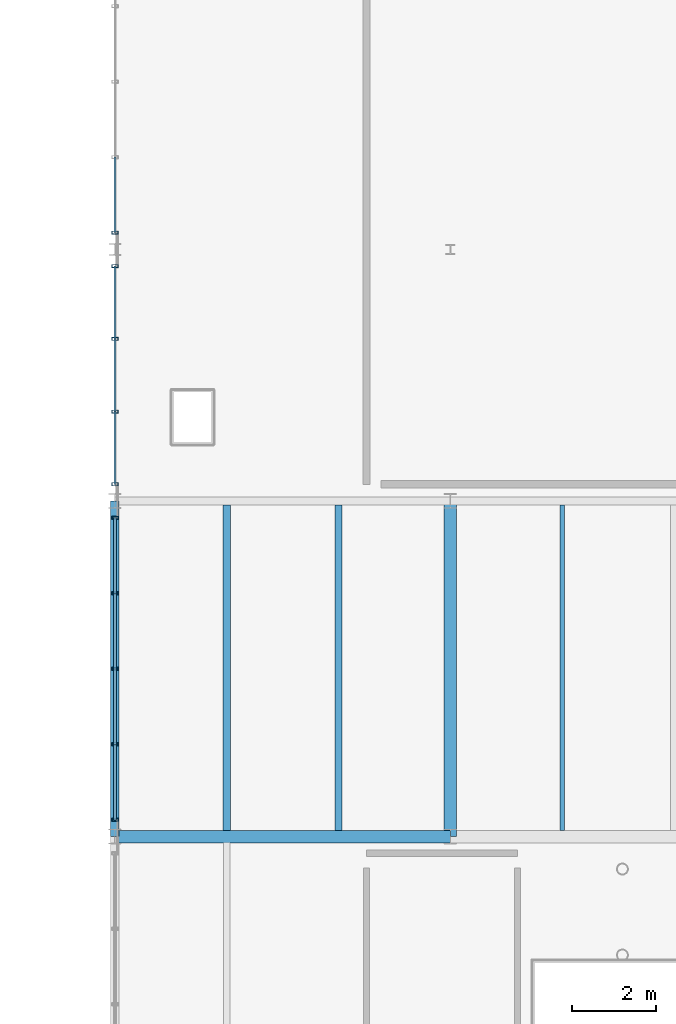
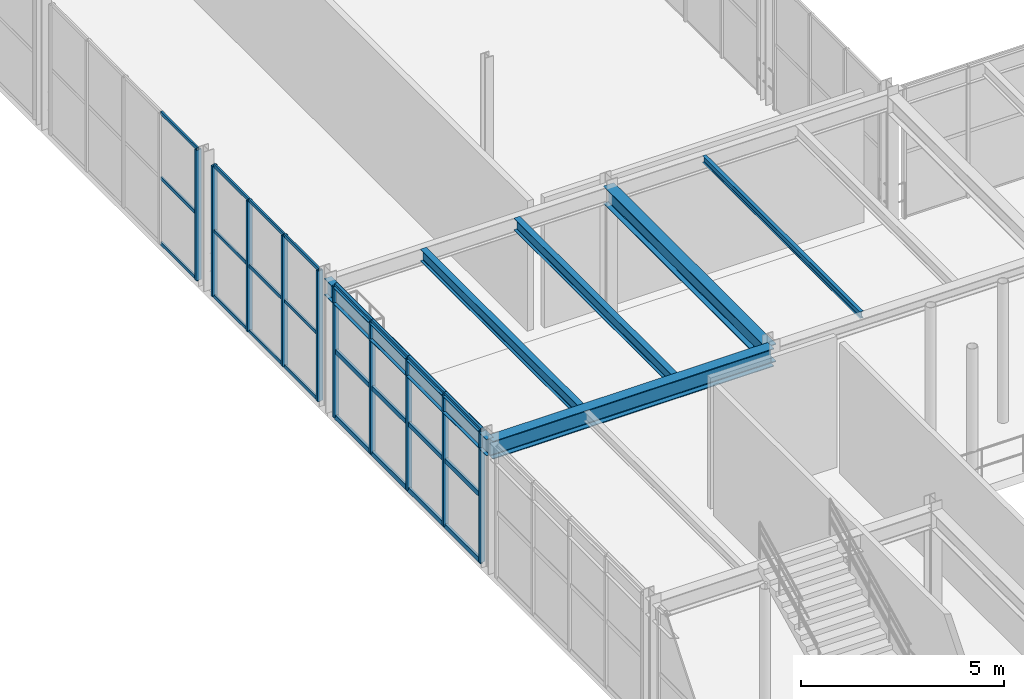
# One storey, part 32 of 122: 34 members, 6 beams, 3 elements without a shape of their own.
"""IFC4 building model written with IfcOpenShell, lengths in metres."""

from ifc_helpers import new_model, si_unit, direction, frame, origin, origin_2d, place, context, subcontext, project, spatial, hollow_rectangle, i_section, extrude, material, material_profile, profile_set, type_object, element, aggregate, save


model = new_model("IFC4")

# Units and contexts
model_context = context("Model", 3, precision=1e-05, world=origin(), true_north=direction((0.0, 1.0)))
body_context = subcontext(model_context, "Body", "Model", "MODEL_VIEW")
ifc_project = project(units=[si_unit("LENGTHUNIT", "METRE"), si_unit("AREAUNIT", "SQUARE_METRE"), si_unit("VOLUMEUNIT", "CUBIC_METRE"), si_unit("PLANEANGLEUNIT", "RADIAN"), si_unit("MASSUNIT", "GRAM", prefix="KILO")], contexts=[model_context])

# Site, building, storey
site_placement = place(None, origin())
site = spatial("IfcSite", under=ifc_project, at=site_placement, CompositionType="ELEMENT")
building_placement = place(site_placement, origin())
building = spatial("IfcBuilding", under=site, at=building_placement, Name="Sundkrona Museum", CompositionType="ELEMENT")
storey_placement = place(building_placement, frame((0.0, 0.0, 5.39990234375)))
storey = spatial("IfcBuildingStorey", under=building, at=storey_placement, Name="L01", CompositionType="ELEMENT", Elevation=5.39990234375)

# Beams
ifc_material_1 = material(Name="Steel S355J2", Category="steel")
ifc_material_profile_1 = material_profile(ifc_material_1, i_section(OverallWidth=0.300048828125, OverallDepth=0.5400390625, WebThickness=0.012451171875, FlangeThickness=0.02392578125, FilletRadius=0.027099609375, at=origin_2d()), Name="HEA 550")
ifc_profile_set_1 = profile_set([ifc_material_profile_1], Name="Steel S355J2")
beam_type_1 = type_object("IfcBeamType", Name="B-HEA550", PredefinedType="BEAM", material=ifc_profile_set_1)
for number, where, z_axis, x_axis, name in (
    (1, (80.0, 32.0, 3.670166015625), (1.0, 0.0, 0.0), (0.0, 1.0, 0.0), "L01 Girder X-0836"),
    (2, (88.0, 32.0, 3.670166015625), (0.0, 1.0, 0.0), (-1.0, 0.0, 0.0), "L01 Girder Y-1022"),
):
    element("IfcBeam", number, at=place(storey_placement, frame(where, z_axis=z_axis, x_axis=x_axis)), inside=storey, type_object=beam_type_1, Name=name, PredefinedType="BEAM", context=body_context, shape_type="SweptSolid", body=[
        extrude(i_section(OverallWidth=0.300048828125, OverallDepth=0.5400390625, WebThickness=0.012451171875, FlangeThickness=0.02392578125, FilletRadius=0.027099609375, at=origin_2d()), origin(), (0.0, 0.0, 1.0), 8.0),
    ])
ifc_material_profile_2 = material_profile(ifc_material_1, i_section(OverallWidth=0.10009765625, OverallDepth=0.199951171875, WebThickness=0.005615234375, FlangeThickness=0.008544921875, FilletRadius=0.011962890625, at=origin_2d()), Name="IPE 200")
ifc_profile_set_2 = profile_set([ifc_material_profile_2], Name="Steel S355J2")
beam_type_2 = type_object("IfcBeamType", Name="J-IPE200", PredefinedType="JOIST", material=ifc_profile_set_2)
beam_1_placement = place(storey_placement, frame((90.666748046875, 32.14404296875, 3.840087890625), z_axis=(0.0, 1.0, 0.0), x_axis=(-1.0, 0.0, 0.0)))
element("IfcBeam", 3, at=beam_1_placement, inside=storey, type_object=beam_type_2, Name="L01 Composite Joist 0640", PredefinedType="JOIST", context=body_context, shape_type="SweptSolid", body=[
    extrude(i_section(OverallWidth=0.10009765625, OverallDepth=0.199951171875, WebThickness=0.005615234375, FlangeThickness=0.008544921875, FilletRadius=0.011962890625, at=origin_2d()), origin(), (0.0, 0.0, 1.0), 7.761962890625),
])
ifc_material_profile_3 = material_profile(ifc_material_1, i_section(OverallWidth=0.169921875, OverallDepth=0.360107421875, WebThickness=0.008056640625, FlangeThickness=0.0126953125, FilletRadius=0.01806640625, at=origin_2d()), Name="IPE 360")
ifc_profile_set_3 = profile_set([ifc_material_profile_3], Name="Steel S355J2")
beam_type_3 = type_object("IfcBeamType", Name="J-IPE360", PredefinedType="JOIST", material=ifc_profile_set_3)
for number, where, z_axis, x_axis, name in (
    (4, (82.666748046875, 32.14404296875, 3.760009765625), (0.0, 1.0, 0.0), (-1.0, 0.0, 0.0), "L01 Composite Joist 0636"),
    (5, (85.333251953125, 32.14404296875, 3.760009765625), (0.0, 1.0, 0.0), (-1.0, 0.0, 0.0), "L01 Composite Joist 0637"),
):
    element("IfcBeam", number, at=place(storey_placement, frame(where, z_axis=z_axis, x_axis=x_axis)), inside=storey, type_object=beam_type_3, Name=name, PredefinedType="JOIST", context=body_context, shape_type="SweptSolid", body=[
        extrude(i_section(OverallWidth=0.169921875, OverallDepth=0.360107421875, WebThickness=0.008056640625, FlangeThickness=0.0126953125, FilletRadius=0.01806640625, at=origin_2d()), origin(), (0.0, 0.0, 1.0), 7.761962890625),
    ])

# Curtain wall, members
ifc_material_2 = material(Name="Unitised Aluminium-Steel and Ceramic-Clad Curtain Walling", Category="steel")
curtain_wall_type_1 = type_object("IfcCurtainWallType", Name="CW-AT-72x38", PredefinedType="NOTDEFINED", material=ifc_material_2)
curtain_wall_1_placement = place(storey_placement, origin())
curtain_wall_1 = element("IfcCurtainWall", 6, at=curtain_wall_1_placement, inside=storey, type_object=curtain_wall_type_1, Name="L01 Curtain Wall CW-L01-037", PredefinedType="NOTDEFINED")
ifc_material_3 = material(Name="Aluminium EN AW-6060 T66", Category="aluminium")
ifc_material_profile_4 = material_profile(ifc_material_3, hollow_rectangle(XDim=0.074951171875, YDim=0.14990234375, WallThickness=0.00634765625, at=origin_2d()), Name="RHS 150x75x6.3")
ifc_profile_set_4 = profile_set([ifc_material_profile_4], Name="Aluminium EN AW-6060 T66")
member_type_1 = type_object("IfcMemberType", Name="ML-150", PredefinedType="MULLION", material=ifc_profile_set_4)
member_1_placement = place(storey_placement, frame((80.0, 32.39990234375, -0.00390625), z_axis=(0.0, 0.0, 1.0), x_axis=(0.0, 1.0, 0.0)))
member_1 = element("IfcMember", 7, at=member_1_placement, type_object=member_type_1, Name="CW-L01-037 Mullion 01", PredefinedType="MULLION", context=body_context, shape_type="SweptSolid", body=[
    extrude(hollow_rectangle(XDim=0.074951171875, YDim=0.14990234375, WallThickness=0.00634765625, at=origin_2d()), origin(), (0.0, 0.0, 1.0), 3.947998046875),
])
member_2_placement = place(storey_placement, frame((80.0, 34.199951171875, -0.00390625), z_axis=(0.0, 0.0, 1.0), x_axis=(0.0, 1.0, 0.0)))
member_2 = element("IfcMember", 8, at=member_2_placement, type_object=member_type_1, Name="CW-L01-037 Mullion 02", PredefinedType="MULLION", context=body_context, shape_type="SweptSolid", body=[
    extrude(hollow_rectangle(XDim=0.074951171875, YDim=0.14990234375, WallThickness=0.00634765625, at=origin_2d()), origin(), (0.0, 0.0, 1.0), 3.947998046875),
])
member_3_placement = place(storey_placement, frame((80.0, 36.0, -0.00390625), z_axis=(0.0, 0.0, 1.0), x_axis=(0.0, 1.0, 0.0)))
member_3 = element("IfcMember", 9, at=member_3_placement, type_object=member_type_1, Name="CW-L01-037 Mullion 03", PredefinedType="MULLION", context=body_context, shape_type="SweptSolid", body=[
    extrude(hollow_rectangle(XDim=0.074951171875, YDim=0.14990234375, WallThickness=0.00634765625, at=origin_2d()), origin(), (0.0, 0.0, 1.0), 3.947998046875),
])
member_4_placement = place(storey_placement, frame((80.0, 37.800048828125, -0.00390625), z_axis=(0.0, 0.0, 1.0), x_axis=(0.0, 1.0, 0.0)))
member_4 = element("IfcMember", 10, at=member_4_placement, type_object=member_type_1, Name="CW-L01-037 Mullion 04", PredefinedType="MULLION", context=body_context, shape_type="SweptSolid", body=[
    extrude(hollow_rectangle(XDim=0.074951171875, YDim=0.14990234375, WallThickness=0.00634765625, at=origin_2d()), origin(), (0.0, 0.0, 1.0), 3.947998046875),
])
member_5_placement = place(storey_placement, frame((80.0, 39.60009765625, -0.00390625), z_axis=(0.0, 0.0, 1.0), x_axis=(0.0, 1.0, 0.0)))
member_5 = element("IfcMember", 11, at=member_5_placement, type_object=member_type_1, Name="CW-L01-037 Mullion 05", PredefinedType="MULLION", context=body_context, shape_type="SweptSolid", body=[
    extrude(hollow_rectangle(XDim=0.074951171875, YDim=0.14990234375, WallThickness=0.00634765625, at=origin_2d()), origin(), (0.0, 0.0, 1.0), 3.947998046875),
])

curtain_wall_type_2 = type_object("IfcCurtainWallType", Name="CW-PS-54x38", PredefinedType="NOTDEFINED", material=ifc_material_2)
curtain_wall_2_placement = place(storey_placement, origin())
curtain_wall_2 = element("IfcCurtainWall", 12, at=curtain_wall_2_placement, inside=storey, type_object=curtain_wall_type_2, Name="L01 Curtain Wall CW-L01-108", PredefinedType="NOTDEFINED")
member_6_placement = place(storey_placement, frame((80.0, 40.39990234375, -0.00390625), z_axis=(0.0, 0.0, 1.0), x_axis=(0.0, 1.0, 0.0)))
member_6 = element("IfcMember", 13, at=member_6_placement, type_object=member_type_1, Name="CW-L01-108 Mullion 01", PredefinedType="MULLION", context=body_context, shape_type="SweptSolid", body=[
    extrude(hollow_rectangle(XDim=0.074951171875, YDim=0.14990234375, WallThickness=0.00634765625, at=origin_2d()), origin(), (0.0, 0.0, 1.0), 3.927978515625),
])
member_7_placement = place(storey_placement, frame((80.0, 42.13330078125, -0.00390625), z_axis=(0.0, 0.0, 1.0), x_axis=(0.0, 1.0, 0.0)))
member_7 = element("IfcMember", 14, at=member_7_placement, type_object=member_type_1, Name="CW-L01-108 Mullion 02", PredefinedType="MULLION", context=body_context, shape_type="SweptSolid", body=[
    extrude(hollow_rectangle(XDim=0.074951171875, YDim=0.14990234375, WallThickness=0.00634765625, at=origin_2d()), origin(), (0.0, 0.0, 1.0), 3.927978515625),
])
member_8_placement = place(storey_placement, frame((80.0, 43.86669921875, -0.00390625), z_axis=(0.0, 0.0, 1.0), x_axis=(0.0, 1.0, 0.0)))
member_8 = element("IfcMember", 15, at=member_8_placement, type_object=member_type_1, Name="CW-L01-108 Mullion 03", PredefinedType="MULLION", context=body_context, shape_type="SweptSolid", body=[
    extrude(hollow_rectangle(XDim=0.074951171875, YDim=0.14990234375, WallThickness=0.00634765625, at=origin_2d()), origin(), (0.0, 0.0, 1.0), 3.927978515625),
])
member_9_placement = place(storey_placement, frame((80.0, 45.60009765625, -0.00390625), z_axis=(0.0, 0.0, 1.0), x_axis=(0.0, 1.0, 0.0)))
member_9 = element("IfcMember", 16, at=member_9_placement, type_object=member_type_1, Name="CW-L01-108 Mullion 04", PredefinedType="MULLION", context=body_context, shape_type="SweptSolid", body=[
    extrude(hollow_rectangle(XDim=0.074951171875, YDim=0.14990234375, WallThickness=0.00634765625, at=origin_2d()), origin(), (0.0, 0.0, 1.0), 3.927978515625),
])

# Curtain wall, member
curtain_wall_3_placement = place(storey_placement, origin())
curtain_wall_3 = element("IfcCurtainWall", 17, at=curtain_wall_3_placement, inside=storey, type_object=curtain_wall_type_2, Name="L01 Curtain Wall CW-L01-110", PredefinedType="NOTDEFINED")
member_10_placement = place(storey_placement, frame((80.0, 46.39990234375, -0.00390625), z_axis=(0.0, 0.0, 1.0), x_axis=(0.0, 1.0, 0.0)))
member_10 = element("IfcMember", 18, at=member_10_placement, type_object=member_type_1, Name="CW-L01-110 Mullion 01", PredefinedType="MULLION", context=body_context, shape_type="SweptSolid", body=[
    extrude(hollow_rectangle(XDim=0.074951171875, YDim=0.14990234375, WallThickness=0.00634765625, at=origin_2d()), origin(), (0.0, 0.0, 1.0), 3.927978515625),
])

# Beam
ifc_material_profile_5 = material_profile(ifc_material_1, i_section(OverallWidth=0.199951171875, OverallDepth=0.5, WebThickness=0.01025390625, FlangeThickness=0.01611328125, FilletRadius=0.02099609375, at=origin_2d()), Name="IPE 500")
ifc_profile_set_5 = profile_set([ifc_material_profile_5], Name="Steel S355J2")
beam_type_4 = type_object("IfcBeamType", Name="SP-IPE500", PredefinedType="SPANDREL", material=ifc_profile_set_5)
beam_2_placement = place(storey_placement, frame((80.0, 32.0, 3.690185546875), z_axis=(0.0, 1.0, 0.0), x_axis=(-1.0, 0.0, 0.0)))
element("IfcBeam", 19, at=beam_2_placement, inside=storey, type_object=beam_type_4, Name="L01 Girder Y-1013", PredefinedType="SPANDREL", context=body_context, shape_type="SweptSolid", body=[
    extrude(i_section(OverallWidth=0.199951171875, OverallDepth=0.5, WebThickness=0.01025390625, FlangeThickness=0.01611328125, FilletRadius=0.02099609375, at=origin_2d()), origin(), (0.0, 0.0, 1.0), 8.0),
])

# Member
ifc_material_profile_6 = material_profile(ifc_material_3, hollow_rectangle(XDim=0.050048828125, YDim=0.10009765625, WallThickness=0.0048828125, at=origin_2d()), Name="RHS 100x50x5.0")
ifc_profile_set_6 = profile_set([ifc_material_profile_6], Name="Aluminium EN AW-6060 T66")
member_type_2 = type_object("IfcMemberType", Name="TR-100", PredefinedType="USERDEFINED", material=ifc_profile_set_6)
member_11_placement = place(storey_placement, frame((80.0, 40.39990234375, -0.00390625), z_axis=(0.0, 1.0, 0.0), x_axis=(-1.0, 0.0, 0.0)))
member_11 = element("IfcMember", 20, at=member_11_placement, type_object=member_type_2, Name="CW-L01-108 Transom 01", ObjectType="TRANSOM", PredefinedType="USERDEFINED", context=body_context, shape_type="SweptSolid", body=[
    extrude(hollow_rectangle(XDim=0.050048828125, YDim=0.10009765625, WallThickness=0.0048828125, at=origin_2d()), origin(), (0.0, 0.0, 1.0), 1.7333984375),
])

member_12_placement = place(storey_placement, frame((80.0, 40.39990234375, 1.960205078125), z_axis=(0.0, 1.0, 0.0), x_axis=(-1.0, 0.0, 0.0)))
member_12 = element("IfcMember", 21, at=member_12_placement, type_object=member_type_2, Name="CW-L01-108 Transom 02", ObjectType="TRANSOM", PredefinedType="USERDEFINED", context=body_context, shape_type="SweptSolid", body=[
    extrude(hollow_rectangle(XDim=0.050048828125, YDim=0.10009765625, WallThickness=0.0048828125, at=origin_2d()), origin(), (0.0, 0.0, 1.0), 1.7333984375),
])

member_13_placement = place(storey_placement, frame((80.0, 40.39990234375, 3.924072265625), z_axis=(0.0, 1.0, 0.0), x_axis=(-1.0, 0.0, 0.0)))
member_13 = element("IfcMember", 22, at=member_13_placement, type_object=member_type_2, Name="CW-L01-108 Transom 03", ObjectType="TRANSOM", PredefinedType="USERDEFINED", context=body_context, shape_type="SweptSolid", body=[
    extrude(hollow_rectangle(XDim=0.050048828125, YDim=0.10009765625, WallThickness=0.0048828125, at=origin_2d()), origin(), (0.0, 0.0, 1.0), 1.7333984375),
])

member_14_placement = place(storey_placement, frame((80.0, 42.13330078125, -0.00390625), z_axis=(0.0, 1.0, 0.0), x_axis=(-1.0, 0.0, 0.0)))
member_14 = element("IfcMember", 23, at=member_14_placement, type_object=member_type_2, Name="CW-L01-108 Transom 04", ObjectType="TRANSOM", PredefinedType="USERDEFINED", context=body_context, shape_type="SweptSolid", body=[
    extrude(hollow_rectangle(XDim=0.050048828125, YDim=0.10009765625, WallThickness=0.0048828125, at=origin_2d()), origin(), (0.0, 0.0, 1.0), 1.7333984375),
])

member_15_placement = place(storey_placement, frame((80.0, 42.13330078125, 1.960205078125), z_axis=(0.0, 1.0, 0.0), x_axis=(-1.0, 0.0, 0.0)))
member_15 = element("IfcMember", 24, at=member_15_placement, type_object=member_type_2, Name="CW-L01-108 Transom 05", ObjectType="TRANSOM", PredefinedType="USERDEFINED", context=body_context, shape_type="SweptSolid", body=[
    extrude(hollow_rectangle(XDim=0.050048828125, YDim=0.10009765625, WallThickness=0.0048828125, at=origin_2d()), origin(), (0.0, 0.0, 1.0), 1.7333984375),
])

member_16_placement = place(storey_placement, frame((80.0, 42.13330078125, 3.924072265625), z_axis=(0.0, 1.0, 0.0), x_axis=(-1.0, 0.0, 0.0)))
member_16 = element("IfcMember", 25, at=member_16_placement, type_object=member_type_2, Name="CW-L01-108 Transom 06", ObjectType="TRANSOM", PredefinedType="USERDEFINED", context=body_context, shape_type="SweptSolid", body=[
    extrude(hollow_rectangle(XDim=0.050048828125, YDim=0.10009765625, WallThickness=0.0048828125, at=origin_2d()), origin(), (0.0, 0.0, 1.0), 1.7333984375),
])

member_17_placement = place(storey_placement, frame((80.0, 43.86669921875, -0.00390625), z_axis=(0.0, 1.0, 0.0), x_axis=(-1.0, 0.0, 0.0)))
member_17 = element("IfcMember", 26, at=member_17_placement, type_object=member_type_2, Name="CW-L01-108 Transom 07", ObjectType="TRANSOM", PredefinedType="USERDEFINED", context=body_context, shape_type="SweptSolid", body=[
    extrude(hollow_rectangle(XDim=0.050048828125, YDim=0.10009765625, WallThickness=0.0048828125, at=origin_2d()), origin(), (0.0, 0.0, 1.0), 1.7333984375),
])

member_18_placement = place(storey_placement, frame((80.0, 43.86669921875, 1.960205078125), z_axis=(0.0, 1.0, 0.0), x_axis=(-1.0, 0.0, 0.0)))
member_18 = element("IfcMember", 27, at=member_18_placement, type_object=member_type_2, Name="CW-L01-108 Transom 08", ObjectType="TRANSOM", PredefinedType="USERDEFINED", context=body_context, shape_type="SweptSolid", body=[
    extrude(hollow_rectangle(XDim=0.050048828125, YDim=0.10009765625, WallThickness=0.0048828125, at=origin_2d()), origin(), (0.0, 0.0, 1.0), 1.7333984375),
])

member_19_placement = place(storey_placement, frame((80.0, 43.86669921875, 3.924072265625), z_axis=(0.0, 1.0, 0.0), x_axis=(-1.0, 0.0, 0.0)))
member_19 = element("IfcMember", 28, at=member_19_placement, type_object=member_type_2, Name="CW-L01-108 Transom 09", ObjectType="TRANSOM", PredefinedType="USERDEFINED", context=body_context, shape_type="SweptSolid", body=[
    extrude(hollow_rectangle(XDim=0.050048828125, YDim=0.10009765625, WallThickness=0.0048828125, at=origin_2d()), origin(), (0.0, 0.0, 1.0), 1.7333984375),
])

aggregate(curtain_wall_2, [member_6, member_7, member_8, member_9, member_11, member_12, member_13, member_14, member_15, member_16, member_17, member_18, member_19])

member_20_placement = place(storey_placement, frame((80.0, 46.39990234375, -0.00390625), z_axis=(0.0, 1.0, 0.0), x_axis=(-1.0, 0.0, 0.0)))
member_20 = element("IfcMember", 29, at=member_20_placement, type_object=member_type_2, Name="CW-L01-110 Transom 01", ObjectType="TRANSOM", PredefinedType="USERDEFINED", context=body_context, shape_type="SweptSolid", body=[
    extrude(hollow_rectangle(XDim=0.050048828125, YDim=0.10009765625, WallThickness=0.0048828125, at=origin_2d()), origin(), (0.0, 0.0, 1.0), 1.800048828125),
])

member_21_placement = place(storey_placement, frame((80.0, 46.39990234375, 1.960205078125), z_axis=(0.0, 1.0, 0.0), x_axis=(-1.0, 0.0, 0.0)))
member_21 = element("IfcMember", 30, at=member_21_placement, type_object=member_type_2, Name="CW-L01-110 Transom 02", ObjectType="TRANSOM", PredefinedType="USERDEFINED", context=body_context, shape_type="SweptSolid", body=[
    extrude(hollow_rectangle(XDim=0.050048828125, YDim=0.10009765625, WallThickness=0.0048828125, at=origin_2d()), origin(), (0.0, 0.0, 1.0), 1.800048828125),
])

member_22_placement = place(storey_placement, frame((80.0, 46.39990234375, 3.924072265625), z_axis=(0.0, 1.0, 0.0), x_axis=(-1.0, 0.0, 0.0)))
member_22 = element("IfcMember", 31, at=member_22_placement, type_object=member_type_2, Name="CW-L01-110 Transom 03", ObjectType="TRANSOM", PredefinedType="USERDEFINED", context=body_context, shape_type="SweptSolid", body=[
    extrude(hollow_rectangle(XDim=0.050048828125, YDim=0.10009765625, WallThickness=0.0048828125, at=origin_2d()), origin(), (0.0, 0.0, 1.0), 1.800048828125),
])

aggregate(curtain_wall_3, [member_10, member_20, member_21, member_22])

ifc_material_profile_7 = material_profile(ifc_material_3, hollow_rectangle(XDim=0.070068359375, YDim=0.139892578125, WallThickness=0.0048828125, at=origin_2d()), Name="RHS 140x70x5.0")
ifc_profile_set_7 = profile_set([ifc_material_profile_7], Name="Aluminium EN AW-6060 T66")
member_type_3 = type_object("IfcMemberType", Name="TR-140", PredefinedType="USERDEFINED", material=ifc_profile_set_7)
member_23_placement = place(storey_placement, frame((80.0, 32.39990234375, -0.00390625), z_axis=(0.0, 1.0, 0.0), x_axis=(-1.0, 0.0, 0.0)))
member_23 = element("IfcMember", 32, at=member_23_placement, type_object=member_type_3, Name="CW-L01-037 Transom 01", ObjectType="TRANSOM", PredefinedType="USERDEFINED", context=body_context, shape_type="SweptSolid", body=[
    extrude(hollow_rectangle(XDim=0.070068359375, YDim=0.139892578125, WallThickness=0.0048828125, at=origin_2d()), origin(), (0.0, 0.0, 1.0), 1.800048828125),
])

member_24_placement = place(storey_placement, frame((80.0, 32.39990234375, 1.97021484375), z_axis=(0.0, 1.0, 0.0), x_axis=(-1.0, 0.0, 0.0)))
member_24 = element("IfcMember", 33, at=member_24_placement, type_object=member_type_3, Name="CW-L01-037 Transom 02", ObjectType="TRANSOM", PredefinedType="USERDEFINED", context=body_context, shape_type="SweptSolid", body=[
    extrude(hollow_rectangle(XDim=0.070068359375, YDim=0.139892578125, WallThickness=0.0048828125, at=origin_2d()), origin(), (0.0, 0.0, 1.0), 1.800048828125),
])

member_25_placement = place(storey_placement, frame((80.0, 32.39990234375, 3.944091796875), z_axis=(0.0, 1.0, 0.0), x_axis=(-1.0, 0.0, 0.0)))
member_25 = element("IfcMember", 34, at=member_25_placement, type_object=member_type_3, Name="CW-L01-037 Transom 03", ObjectType="TRANSOM", PredefinedType="USERDEFINED", context=body_context, shape_type="SweptSolid", body=[
    extrude(hollow_rectangle(XDim=0.070068359375, YDim=0.139892578125, WallThickness=0.0048828125, at=origin_2d()), origin(), (0.0, 0.0, 1.0), 1.800048828125),
])

member_26_placement = place(storey_placement, frame((80.0, 34.199951171875, -0.00390625), z_axis=(0.0, 1.0, 0.0), x_axis=(-1.0, 0.0, 0.0)))
member_26 = element("IfcMember", 35, at=member_26_placement, type_object=member_type_3, Name="CW-L01-037 Transom 04", ObjectType="TRANSOM", PredefinedType="USERDEFINED", context=body_context, shape_type="SweptSolid", body=[
    extrude(hollow_rectangle(XDim=0.070068359375, YDim=0.139892578125, WallThickness=0.0048828125, at=origin_2d()), origin(), (0.0, 0.0, 1.0), 1.800048828125),
])

member_27_placement = place(storey_placement, frame((80.0, 34.199951171875, 1.97021484375), z_axis=(0.0, 1.0, 0.0), x_axis=(-1.0, 0.0, 0.0)))
member_27 = element("IfcMember", 36, at=member_27_placement, type_object=member_type_3, Name="CW-L01-037 Transom 05", ObjectType="TRANSOM", PredefinedType="USERDEFINED", context=body_context, shape_type="SweptSolid", body=[
    extrude(hollow_rectangle(XDim=0.070068359375, YDim=0.139892578125, WallThickness=0.0048828125, at=origin_2d()), origin(), (0.0, 0.0, 1.0), 1.800048828125),
])

member_28_placement = place(storey_placement, frame((80.0, 34.199951171875, 3.944091796875), z_axis=(0.0, 1.0, 0.0), x_axis=(-1.0, 0.0, 0.0)))
member_28 = element("IfcMember", 37, at=member_28_placement, type_object=member_type_3, Name="CW-L01-037 Transom 06", ObjectType="TRANSOM", PredefinedType="USERDEFINED", context=body_context, shape_type="SweptSolid", body=[
    extrude(hollow_rectangle(XDim=0.070068359375, YDim=0.139892578125, WallThickness=0.0048828125, at=origin_2d()), origin(), (0.0, 0.0, 1.0), 1.800048828125),
])

member_29_placement = place(storey_placement, frame((80.0, 36.0, -0.00390625), z_axis=(0.0, 1.0, 0.0), x_axis=(-1.0, 0.0, 0.0)))
member_29 = element("IfcMember", 38, at=member_29_placement, type_object=member_type_3, Name="CW-L01-037 Transom 07", ObjectType="TRANSOM", PredefinedType="USERDEFINED", context=body_context, shape_type="SweptSolid", body=[
    extrude(hollow_rectangle(XDim=0.070068359375, YDim=0.139892578125, WallThickness=0.0048828125, at=origin_2d()), origin(), (0.0, 0.0, 1.0), 1.800048828125),
])

member_30_placement = place(storey_placement, frame((80.0, 36.0, 1.97021484375), z_axis=(0.0, 1.0, 0.0), x_axis=(-1.0, 0.0, 0.0)))
member_30 = element("IfcMember", 39, at=member_30_placement, type_object=member_type_3, Name="CW-L01-037 Transom 08", ObjectType="TRANSOM", PredefinedType="USERDEFINED", context=body_context, shape_type="SweptSolid", body=[
    extrude(hollow_rectangle(XDim=0.070068359375, YDim=0.139892578125, WallThickness=0.0048828125, at=origin_2d()), origin(), (0.0, 0.0, 1.0), 1.800048828125),
])

member_31_placement = place(storey_placement, frame((80.0, 36.0, 3.944091796875), z_axis=(0.0, 1.0, 0.0), x_axis=(-1.0, 0.0, 0.0)))
member_31 = element("IfcMember", 40, at=member_31_placement, type_object=member_type_3, Name="CW-L01-037 Transom 09", ObjectType="TRANSOM", PredefinedType="USERDEFINED", context=body_context, shape_type="SweptSolid", body=[
    extrude(hollow_rectangle(XDim=0.070068359375, YDim=0.139892578125, WallThickness=0.0048828125, at=origin_2d()), origin(), (0.0, 0.0, 1.0), 1.800048828125),
])

member_32_placement = place(storey_placement, frame((80.0, 37.800048828125, -0.00390625), z_axis=(0.0, 1.0, 0.0), x_axis=(-1.0, 0.0, 0.0)))
member_32 = element("IfcMember", 41, at=member_32_placement, type_object=member_type_3, Name="CW-L01-037 Transom 10", ObjectType="TRANSOM", PredefinedType="USERDEFINED", context=body_context, shape_type="SweptSolid", body=[
    extrude(hollow_rectangle(XDim=0.070068359375, YDim=0.139892578125, WallThickness=0.0048828125, at=origin_2d()), origin(), (0.0, 0.0, 1.0), 1.800048828125),
])

member_33_placement = place(storey_placement, frame((80.0, 37.800048828125, 1.97021484375), z_axis=(0.0, 1.0, 0.0), x_axis=(-1.0, 0.0, 0.0)))
member_33 = element("IfcMember", 42, at=member_33_placement, type_object=member_type_3, Name="CW-L01-037 Transom 11", ObjectType="TRANSOM", PredefinedType="USERDEFINED", context=body_context, shape_type="SweptSolid", body=[
    extrude(hollow_rectangle(XDim=0.070068359375, YDim=0.139892578125, WallThickness=0.0048828125, at=origin_2d()), origin(), (0.0, 0.0, 1.0), 1.800048828125),
])

member_34_placement = place(storey_placement, frame((80.0, 37.800048828125, 3.944091796875), z_axis=(0.0, 1.0, 0.0), x_axis=(-1.0, 0.0, 0.0)))
member_34 = element("IfcMember", 43, at=member_34_placement, type_object=member_type_3, Name="CW-L01-037 Transom 12", ObjectType="TRANSOM", PredefinedType="USERDEFINED", context=body_context, shape_type="SweptSolid", body=[
    extrude(hollow_rectangle(XDim=0.070068359375, YDim=0.139892578125, WallThickness=0.0048828125, at=origin_2d()), origin(), (0.0, 0.0, 1.0), 1.800048828125),
])

aggregate(curtain_wall_1, [member_1, member_2, member_3, member_4, member_5, member_23, member_24, member_25, member_26, member_27, member_28, member_29, member_30, member_31, member_32, member_33, member_34])

save(model, "model.ifc")
